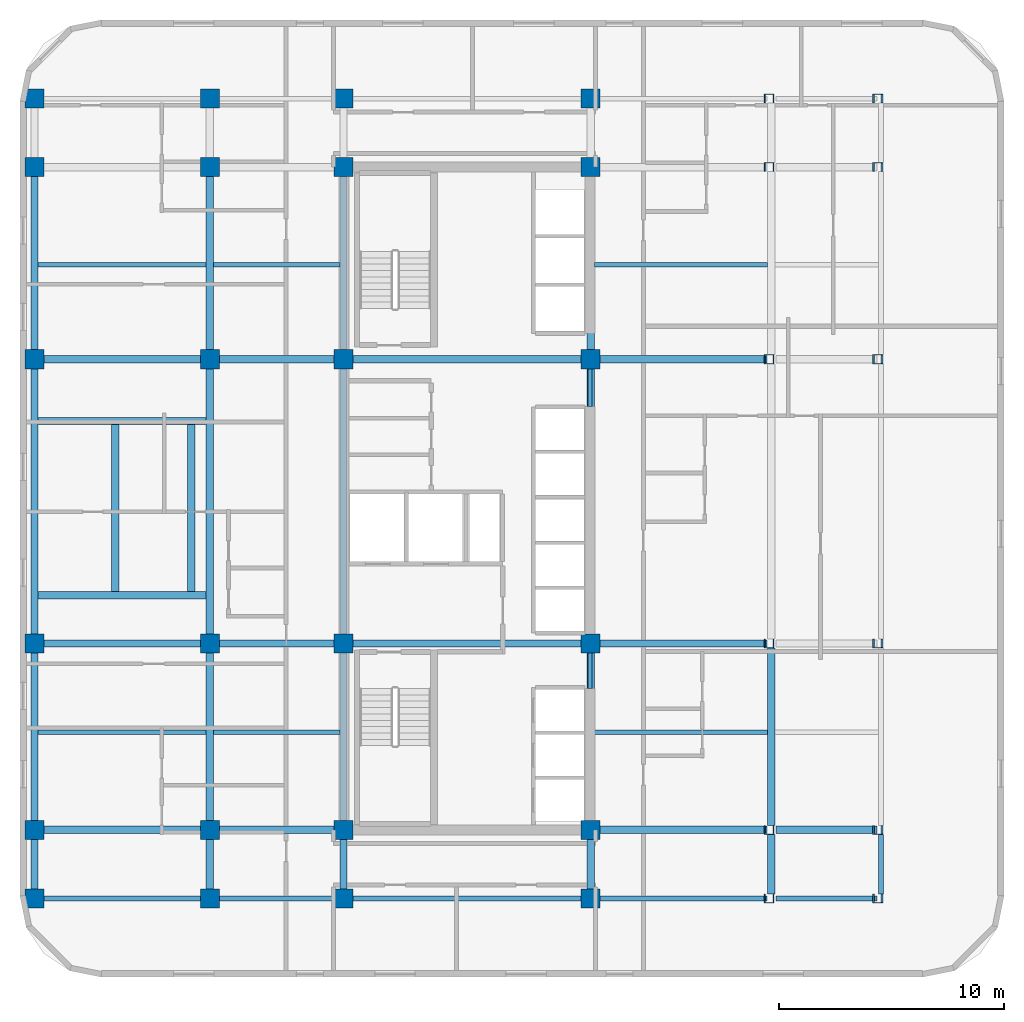
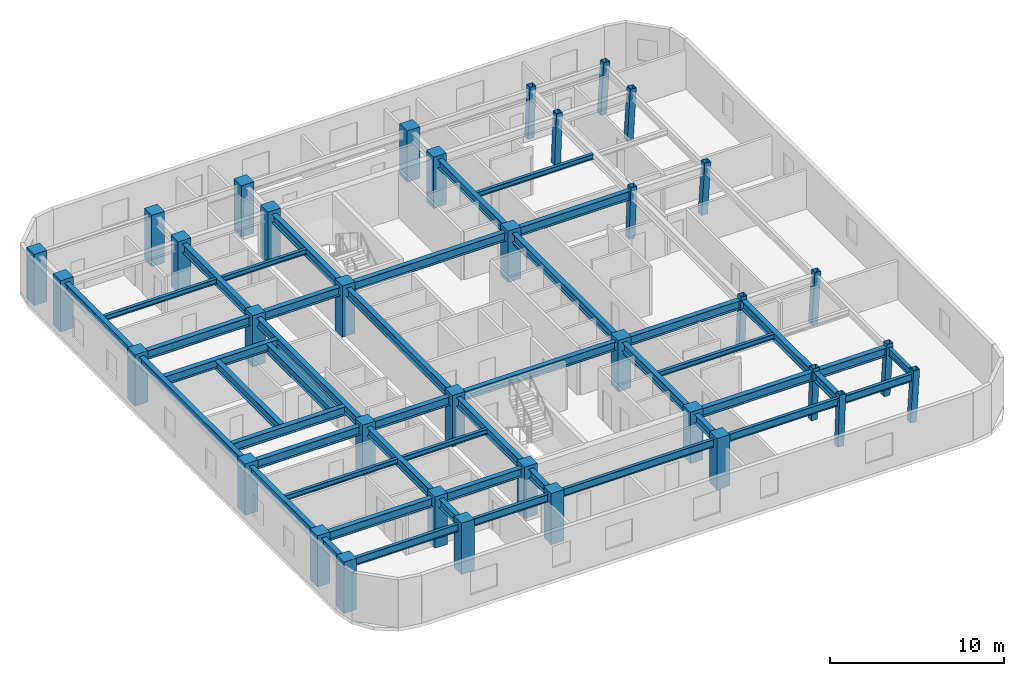
# One storey, part 1 of 8: 48 beams, 36 columns.
"""IFC4 building model written with IfcOpenShell, lengths in metres."""

from ifc_helpers import new_model, si_unit, direction, frame, origin, origin_2d, place, context, subcontext, project, spatial, rectangle, hollow_rectangle, i_section, extrude, material, material_profile, profile_set, type_object, element, save


model = new_model("IFC4")

# Units and contexts
model_context = context("Model", 3, precision=1e-05, world=origin(), true_north=direction((0.0, 1.0)))
body_context = subcontext(model_context, "Body", "Model", "MODEL_VIEW")
ifc_project = project(units=[si_unit("LENGTHUNIT", "METRE"), si_unit("AREAUNIT", "SQUARE_METRE"), si_unit("VOLUMEUNIT", "CUBIC_METRE"), si_unit("PLANEANGLEUNIT", "RADIAN"), si_unit("MASSUNIT", "GRAM", prefix="KILO")], contexts=[model_context])

# Site, building, storey
site_placement = place(None, origin())
site = spatial("IfcSite", under=ifc_project, at=site_placement, CompositionType="ELEMENT")
building_placement = place(site_placement, origin())
building = spatial("IfcBuilding", under=site, at=building_placement, Name="Ochreholt Gables", CompositionType="ELEMENT")
storey_placement = place(building_placement, frame((0.0, 0.0, 91.199951171875)))
storey = spatial("IfcBuildingStorey", under=building, at=storey_placement, Name="L23", CompositionType="ELEMENT", Elevation=91.199951171875)

# Columns
ifc_material_1 = material(Name="Steel CSA G40.21 350W", Category="steel")
ifc_material_profile_1 = material_profile(ifc_material_1, hollow_rectangle(XDim=0.406005859375, YDim=0.406005859375, WallThickness=0.01611328125, at=origin_2d()), Name="HSS406X406X16")
ifc_profile_set_1 = profile_set([ifc_material_profile_1], Name="Steel CSA G40.21 350W")
column_type_1 = type_object("IfcColumnType", Name="COL-HSS406-RAK", PredefinedType="COLUMN", material=ifc_profile_set_1)
for number, where, z_axis, x_axis, name in (
    (1, (43.1279296875, 9.25, 0.0), (0.034971136209, 0.0, 0.999388322742), (0.0, 1.0, 0.0), "L23 Column EMY2"),
    (2, (43.1279296875, 17.550048828125, 0.0), (0.034971136209, 0.0, 0.999388322742), (0.0, 1.0, 0.0), "L23 Column EMY3"),
    (3, (43.1279296875, 30.199951171875, 0.0), (0.034971136209, 0.0, 0.999388322742), (0.0, 1.0, 0.0), "L23 Column EMY4"),
    (4, (43.1279296875, 38.75, 0.0), (0.034971136209, 0.0, 0.999388322742), (0.0, 1.0, 0.0), "L23 Column EMY5"),
):
    element("IfcColumn", number, at=place(storey_placement, frame(where, z_axis=z_axis, x_axis=x_axis)), inside=storey, type_object=column_type_1, Name=name, PredefinedType="COLUMN", context=body_context, shape_type="SweptSolid", body=[
        extrude(hollow_rectangle(XDim=0.406005859375, YDim=0.406005859375, WallThickness=0.01611328125, at=origin_2d()), origin(), (0.0, 0.0, 1.0), 3.602294921875),
    ])
ifc_material_profile_2 = material_profile(ifc_material_1, hollow_rectangle(XDim=0.406005859375, YDim=0.406005859375, WallThickness=0.01611328125, at=origin_2d()), Name="HSS406X406X16")
ifc_profile_set_2 = profile_set([ifc_material_profile_2], Name="Steel CSA G40.21 350W")
column_type_2 = type_object("IfcColumnType", Name="COL-HSS406-RAKE", PredefinedType="COLUMN", material=ifc_profile_set_2)
for number, where, z_axis, x_axis, name in (
    (5, (43.1279296875, 6.199951171875, 0.0), (0.034971136209, 0.0, 0.999388322742), (0.0, 1.0, 0.0), "L23 Column EMY1"),
    (6, (43.1279296875, 41.800048828125, 0.0), (0.034971136209, 0.0, 0.999388322742), (0.0, 1.0, 0.0), "L23 Column EMY6"),
):
    element("IfcColumn", number, at=place(storey_placement, frame(where, z_axis=z_axis, x_axis=x_axis)), inside=storey, type_object=column_type_2, Name=name, PredefinedType="COLUMN", context=body_context, shape_type="SweptSolid", body=[
        extrude(hollow_rectangle(XDim=0.406005859375, YDim=0.406005859375, WallThickness=0.01611328125, at=origin_2d()), origin(), (0.0, 0.0, 1.0), 3.602294921875),
    ])
for number, where, z_axis, x_axis, name in (
    (7, (47.9462890625, 6.199951171875, 0.0), (0.057952080376, 0.0, 0.998319365925), (0.0, 1.0, 0.0), "L23 Column EEY1"),
    (8, (47.9462890625, 9.25, 0.0), (0.057952080376, 0.0, 0.998319365925), (0.0, 1.0, 0.0), "L23 Column EEY2"),
    (9, (47.9462890625, 17.550048828125, 0.0), (0.057952080376, 0.0, 0.998319365925), (0.0, 1.0, 0.0), "L23 Column EEY3"),
    (10, (47.9462890625, 30.199951171875, 0.0), (0.057952080376, 0.0, 0.998319365925), (0.0, 1.0, 0.0), "L23 Column EEY4"),
    (11, (47.9462890625, 38.75, 0.0), (0.057952080376, 0.0, 0.998319365925), (0.0, 1.0, 0.0), "L23 Column EEY5"),
    (12, (47.9462890625, 41.800048828125, 0.0), (0.057952080376, 0.0, 0.998319365925), (0.0, 1.0, 0.0), "L23 Column EEY6"),
):
    element("IfcColumn", number, at=place(storey_placement, frame(where, z_axis=z_axis, x_axis=x_axis)), inside=storey, type_object=column_type_2, Name=name, PredefinedType="COLUMN", context=body_context, shape_type="SweptSolid", body=[
        extrude(hollow_rectangle(XDim=0.406005859375, YDim=0.406005859375, WallThickness=0.01611328125, at=origin_2d()), origin(), (0.0, 0.0, 1.0), 3.606201171875),
    ])
ifc_material_2 = material(Name="Concrete 60 MPa", Category="concrete")
ifc_material_profile_3 = material_profile(ifc_material_2, rectangle(XDim=0.85009765625, YDim=0.85009765625, at=origin_2d()), Name="RC850X850")
ifc_profile_set_3 = profile_set([ifc_material_profile_3], Name="Concrete 60 MPa")
column_type_3 = type_object("IfcColumnType", Name="COL-RC850-EXT", PredefinedType="COLUMN", material=ifc_profile_set_3)
for number, where, z_axis, x_axis, name in (
    (13, (10.449951171875, 6.199951171875, 0.0), (0.0, 0.0, 1.0), (1.0, 0.0, 0.0), "L23 Column W2Y1"),
    (14, (10.449951171875, 9.25, 0.0), (0.0, 0.0, 1.0), (1.0, 0.0, 0.0), "L23 Column W2Y2"),
    (15, (10.449951171875, 17.550048828125, 0.0), (0.0, 0.0, 1.0), (1.0, 0.0, 0.0), "L23 Column W2Y3"),
    (16, (10.449951171875, 30.199951171875, 0.0), (0.0, 0.0, 1.0), (1.0, 0.0, 0.0), "L23 Column W2Y4"),
    (17, (10.449951171875, 38.75, 0.0), (0.0, 0.0, 1.0), (1.0, 0.0, 0.0), "L23 Column W2Y5"),
    (18, (10.449951171875, 41.800048828125, 0.0), (0.0, 0.0, 1.0), (1.0, 0.0, 0.0), "L23 Column W2Y6"),
    (19, (18.25, 6.199951171875, 0.0), (0.0, 0.0, 1.0), (1.0, 0.0, 0.0), "L23 Column W3Y1"),
    (20, (18.25, 41.800048828125, 0.0), (0.0, 0.0, 1.0), (1.0, 0.0, 0.0), "L23 Column W3Y6"),
    (21, (24.199951171875, 6.199951171875, 0.0), (0.0, 0.0, 1.0), (1.0, 0.0, 0.0), "L23 Column C1Y1"),
    (22, (24.199951171875, 41.800048828125, 0.0), (0.0, 0.0, 1.0), (1.0, 0.0, 0.0), "L23 Column C1Y6"),
    (23, (35.199951171875, 6.199951171875, 0.0), (0.0, 0.0, 1.0), (1.0, 0.0, 0.0), "L23 Column C2Y1"),
    (24, (35.199951171875, 41.800048828125, 0.0), (0.0, 0.0, 1.0), (1.0, 0.0, 0.0), "L23 Column C2Y6"),
):
    element("IfcColumn", number, at=place(storey_placement, frame(where, z_axis=z_axis, x_axis=x_axis)), inside=storey, type_object=column_type_3, Name=name, PredefinedType="COLUMN", context=body_context, shape_type="SweptSolid", body=[
        extrude(rectangle(XDim=0.85009765625, YDim=0.85009765625, at=origin_2d()), origin(), (0.0, 0.0, 1.0), 3.60009765625),
    ])
ifc_material_profile_4 = material_profile(ifc_material_2, rectangle(XDim=0.85009765625, YDim=0.85009765625, at=origin_2d()), Name="RC850X850")
ifc_profile_set_4 = profile_set([ifc_material_profile_4], Name="Concrete 60 MPa")
column_type_4 = type_object("IfcColumnType", Name="COL-RC850-INT", PredefinedType="COLUMN", material=ifc_profile_set_4)
for number, where, z_axis, x_axis, name in (
    (25, (18.25, 9.25, 0.0), (0.0, 0.0, 1.0), (1.0, 0.0, 0.0), "L23 Column W3Y2"),
    (26, (18.25, 17.550048828125, 0.0), (0.0, 0.0, 1.0), (1.0, 0.0, 0.0), "L23 Column W3Y3"),
    (27, (18.25, 30.199951171875, 0.0), (0.0, 0.0, 1.0), (1.0, 0.0, 0.0), "L23 Column W3Y4"),
    (28, (18.25, 38.75, 0.0), (0.0, 0.0, 1.0), (1.0, 0.0, 0.0), "L23 Column W3Y5"),
    (29, (24.199951171875, 9.25, 0.0), (0.0, 0.0, 1.0), (1.0, 0.0, 0.0), "L23 Column C1Y2"),
    (30, (24.199951171875, 17.550048828125, 0.0), (0.0, 0.0, 1.0), (1.0, 0.0, 0.0), "L23 Column C1Y3"),
    (31, (24.199951171875, 30.199951171875, 0.0), (0.0, 0.0, 1.0), (1.0, 0.0, 0.0), "L23 Column C1Y4"),
    (32, (24.199951171875, 38.75, 0.0), (0.0, 0.0, 1.0), (1.0, 0.0, 0.0), "L23 Column C1Y5"),
    (33, (35.199951171875, 9.25, 0.0), (0.0, 0.0, 1.0), (1.0, 0.0, 0.0), "L23 Column C2Y2"),
    (34, (35.199951171875, 17.550048828125, 0.0), (0.0, 0.0, 1.0), (1.0, 0.0, 0.0), "L23 Column C2Y3"),
    (35, (35.199951171875, 30.199951171875, 0.0), (0.0, 0.0, 1.0), (1.0, 0.0, 0.0), "L23 Column C2Y4"),
    (36, (35.199951171875, 38.75, 0.0), (0.0, 0.0, 1.0), (1.0, 0.0, 0.0), "L23 Column C2Y5"),
):
    element("IfcColumn", number, at=place(storey_placement, frame(where, z_axis=z_axis, x_axis=x_axis)), inside=storey, type_object=column_type_4, Name=name, PredefinedType="COLUMN", context=body_context, shape_type="SweptSolid", body=[
        extrude(rectangle(XDim=0.85009765625, YDim=0.85009765625, at=origin_2d()), origin(), (0.0, 0.0, 1.0), 3.60009765625),
    ])

# Beams
ifc_material_profile_5 = material_profile(ifc_material_1, i_section(OverallWidth=0.323974609375, OverallDepth=0.611083984375, WebThickness=0.0126953125, FlangeThickness=0.01904296875, at=origin_2d()), Name="W610X155")
ifc_profile_set_5 = profile_set([ifc_material_profile_5], Name="Steel CSA G40.21 350W")
beam_type_1 = type_object("IfcBeamType", Name="BM-G-W610A", PredefinedType="BEAM", material=ifc_profile_set_5)
beam_1_placement = place(storey_placement, frame((10.87451171875, 9.25, 3.054443359375), z_axis=(1.0, 0.0, 0.0), x_axis=(0.0, 1.0, 0.0)))
element("IfcBeam", 37, at=beam_1_placement, inside=storey, type_object=beam_type_1, Name="L23 Beam TBG-L23-W2W3-Y2", PredefinedType="BEAM", context=body_context, shape_type="SweptSolid", body=[
    extrude(i_section(OverallWidth=0.323974609375, OverallDepth=0.611083984375, WebThickness=0.0126953125, FlangeThickness=0.01904296875, at=origin_2d()), origin(), (0.0, 0.0, 1.0), 6.950927734375),
])
beam_2_placement = place(storey_placement, frame((18.674560546875, 9.25, 3.054443359375), z_axis=(1.0, 0.0, 0.0), x_axis=(0.0, 1.0, 0.0)))
element("IfcBeam", 38, at=beam_2_placement, inside=storey, type_object=beam_type_1, Name="L23 Beam TBG-L23-W3C1-Y2", PredefinedType="BEAM", context=body_context, shape_type="SweptSolid", body=[
    extrude(i_section(OverallWidth=0.323974609375, OverallDepth=0.611083984375, WebThickness=0.0126953125, FlangeThickness=0.01904296875, at=origin_2d()), origin(), (0.0, 0.0, 1.0), 5.100830078125),
])
beam_3_placement = place(storey_placement, frame((35.62451171875, 9.25, 3.054443359375), z_axis=(1.0, 0.0, 0.0), x_axis=(0.0, 1.0, 0.0)))
element("IfcBeam", 39, at=beam_3_placement, inside=storey, type_object=beam_type_1, Name="L23 Beam TBG-L23-C2EM-Y2", PredefinedType="BEAM", context=body_context, shape_type="SweptSolid", body=[
    extrude(i_section(OverallWidth=0.323974609375, OverallDepth=0.611083984375, WebThickness=0.0126953125, FlangeThickness=0.01904296875, at=origin_2d()), origin(), (0.0, 0.0, 1.0), 7.427001953125),
])
beam_4_placement = place(storey_placement, frame((43.45654296875, 9.25, 3.054443359375), z_axis=(1.0, 0.0, 0.0), x_axis=(0.0, 1.0, 0.0)))
element("IfcBeam", 40, at=beam_4_placement, inside=storey, type_object=beam_type_1, Name="L23 Beam TBG-L23-EMEE-Y2", PredefinedType="BEAM", context=body_context, shape_type="SweptSolid", body=[
    extrude(i_section(OverallWidth=0.323974609375, OverallDepth=0.611083984375, WebThickness=0.0126953125, FlangeThickness=0.01904296875, at=origin_2d()), origin(), (0.0, 0.0, 1.0), 4.49609375),
])
beam_5_placement = place(storey_placement, frame((10.87451171875, 17.550048828125, 3.054443359375), z_axis=(1.0, 0.0, 0.0), x_axis=(0.0, 1.0, 0.0)))
element("IfcBeam", 41, at=beam_5_placement, inside=storey, type_object=beam_type_1, Name="L23 Beam TBG-L23-W2W3-Y3", PredefinedType="BEAM", context=body_context, shape_type="SweptSolid", body=[
    extrude(i_section(OverallWidth=0.323974609375, OverallDepth=0.611083984375, WebThickness=0.0126953125, FlangeThickness=0.01904296875, at=origin_2d()), origin(), (0.0, 0.0, 1.0), 6.950927734375),
])
beam_6_placement = place(storey_placement, frame((18.674560546875, 17.550048828125, 3.054443359375), z_axis=(1.0, 0.0, 0.0), x_axis=(0.0, 1.0, 0.0)))
element("IfcBeam", 42, at=beam_6_placement, inside=storey, type_object=beam_type_1, Name="L23 Beam TBG-L23-W3C1-Y3", PredefinedType="BEAM", context=body_context, shape_type="SweptSolid", body=[
    extrude(i_section(OverallWidth=0.323974609375, OverallDepth=0.611083984375, WebThickness=0.0126953125, FlangeThickness=0.01904296875, at=origin_2d()), origin(), (0.0, 0.0, 1.0), 5.100830078125),
])
beam_7_placement = place(storey_placement, frame((24.62451171875, 17.550048828125, 3.054443359375), z_axis=(1.0, 0.0, 0.0), x_axis=(0.0, 1.0, 0.0)))
element("IfcBeam", 43, at=beam_7_placement, inside=storey, type_object=beam_type_1, Name="L23 Beam TBG-L23-C1C2-Y3", PredefinedType="BEAM", context=body_context, shape_type="SweptSolid", body=[
    extrude(i_section(OverallWidth=0.323974609375, OverallDepth=0.611083984375, WebThickness=0.0126953125, FlangeThickness=0.01904296875, at=origin_2d()), origin(), (0.0, 0.0, 1.0), 10.15087890625),
])
beam_8_placement = place(storey_placement, frame((35.62451171875, 17.550048828125, 3.054443359375), z_axis=(1.0, 0.0, 0.0), x_axis=(0.0, 1.0, 0.0)))
element("IfcBeam", 44, at=beam_8_placement, inside=storey, type_object=beam_type_1, Name="L23 Beam TBG-L23-C2EM-Y3", PredefinedType="BEAM", context=body_context, shape_type="SweptSolid", body=[
    extrude(i_section(OverallWidth=0.323974609375, OverallDepth=0.611083984375, WebThickness=0.0126953125, FlangeThickness=0.01904296875, at=origin_2d()), origin(), (0.0, 0.0, 1.0), 7.427001953125),
])
beam_9_placement = place(storey_placement, frame((10.87451171875, 30.199951171875, 3.054443359375), z_axis=(1.0, 0.0, 0.0), x_axis=(0.0, 1.0, 0.0)))
element("IfcBeam", 45, at=beam_9_placement, inside=storey, type_object=beam_type_1, Name="L23 Beam TBG-L23-W2W3-Y4", PredefinedType="BEAM", context=body_context, shape_type="SweptSolid", body=[
    extrude(i_section(OverallWidth=0.323974609375, OverallDepth=0.611083984375, WebThickness=0.0126953125, FlangeThickness=0.01904296875, at=origin_2d()), origin(), (0.0, 0.0, 1.0), 6.950927734375),
])
beam_10_placement = place(storey_placement, frame((18.674560546875, 30.199951171875, 3.054443359375), z_axis=(1.0, 0.0, 0.0), x_axis=(0.0, 1.0, 0.0)))
element("IfcBeam", 46, at=beam_10_placement, inside=storey, type_object=beam_type_1, Name="L23 Beam TBG-L23-W3C1-Y4", PredefinedType="BEAM", context=body_context, shape_type="SweptSolid", body=[
    extrude(i_section(OverallWidth=0.323974609375, OverallDepth=0.611083984375, WebThickness=0.0126953125, FlangeThickness=0.01904296875, at=origin_2d()), origin(), (0.0, 0.0, 1.0), 5.100830078125),
])
beam_11_placement = place(storey_placement, frame((24.62451171875, 30.199951171875, 3.054443359375), z_axis=(1.0, 0.0, 0.0), x_axis=(0.0, 1.0, 0.0)))
element("IfcBeam", 47, at=beam_11_placement, inside=storey, type_object=beam_type_1, Name="L23 Beam TBG-L23-C1C2-Y4", PredefinedType="BEAM", context=body_context, shape_type="SweptSolid", body=[
    extrude(i_section(OverallWidth=0.323974609375, OverallDepth=0.611083984375, WebThickness=0.0126953125, FlangeThickness=0.01904296875, at=origin_2d()), origin(), (0.0, 0.0, 1.0), 10.15087890625),
])
beam_12_placement = place(storey_placement, frame((35.62451171875, 30.199951171875, 3.054443359375), z_axis=(1.0, 0.0, 0.0), x_axis=(0.0, 1.0, 0.0)))
element("IfcBeam", 48, at=beam_12_placement, inside=storey, type_object=beam_type_1, Name="L23 Beam TBG-L23-C2EM-Y4", PredefinedType="BEAM", context=body_context, shape_type="SweptSolid", body=[
    extrude(i_section(OverallWidth=0.323974609375, OverallDepth=0.611083984375, WebThickness=0.0126953125, FlangeThickness=0.01904296875, at=origin_2d()), origin(), (0.0, 0.0, 1.0), 7.427001953125),
])
beam_13_placement = place(storey_placement, frame((10.449951171875, 6.62451171875, 3.054443359375), z_axis=(0.0, 1.0, 0.0), x_axis=(-1.0, 0.0, 0.0)))
element("IfcBeam", 49, at=beam_13_placement, inside=storey, type_object=beam_type_1, Name="L23 Beam TBN-L23-W2-Y1Y2", PredefinedType="BEAM", context=body_context, shape_type="SweptSolid", body=[
    extrude(i_section(OverallWidth=0.323974609375, OverallDepth=0.611083984375, WebThickness=0.0126953125, FlangeThickness=0.01904296875, at=origin_2d()), origin(), (0.0, 0.0, 1.0), 2.200927734375),
])
beam_14_placement = place(storey_placement, frame((10.449951171875, 9.674560546875, 3.054443359375), z_axis=(0.0, 1.0, 0.0), x_axis=(-1.0, 0.0, 0.0)))
element("IfcBeam", 50, at=beam_14_placement, inside=storey, type_object=beam_type_1, Name="L23 Beam TBN-L23-W2-Y2Y3", PredefinedType="BEAM", context=body_context, shape_type="SweptSolid", body=[
    extrude(i_section(OverallWidth=0.323974609375, OverallDepth=0.611083984375, WebThickness=0.0126953125, FlangeThickness=0.01904296875, at=origin_2d()), origin(), (0.0, 0.0, 1.0), 7.450927734375),
])
beam_15_placement = place(storey_placement, frame((10.449951171875, 17.974609375, 3.054443359375), z_axis=(0.0, 1.0, 0.0), x_axis=(-1.0, 0.0, 0.0)))
element("IfcBeam", 51, at=beam_15_placement, inside=storey, type_object=beam_type_1, Name="L23 Beam TBN-L23-W2-Y3Y4", PredefinedType="BEAM", context=body_context, shape_type="SweptSolid", body=[
    extrude(i_section(OverallWidth=0.323974609375, OverallDepth=0.611083984375, WebThickness=0.0126953125, FlangeThickness=0.01904296875, at=origin_2d()), origin(), (0.0, 0.0, 1.0), 11.80078125),
])
beam_16_placement = place(storey_placement, frame((10.449951171875, 30.62451171875, 3.054443359375), z_axis=(0.0, 1.0, 0.0), x_axis=(-1.0, 0.0, 0.0)))
element("IfcBeam", 52, at=beam_16_placement, inside=storey, type_object=beam_type_1, Name="L23 Beam TBN-L23-W2-Y4Y5", PredefinedType="BEAM", context=body_context, shape_type="SweptSolid", body=[
    extrude(i_section(OverallWidth=0.323974609375, OverallDepth=0.611083984375, WebThickness=0.0126953125, FlangeThickness=0.01904296875, at=origin_2d()), origin(), (0.0, 0.0, 1.0), 7.700927734375),
])
beam_17_placement = place(storey_placement, frame((18.25, 6.62451171875, 3.054443359375), z_axis=(0.0, 1.0, 0.0), x_axis=(-1.0, 0.0, 0.0)))
element("IfcBeam", 53, at=beam_17_placement, inside=storey, type_object=beam_type_1, Name="L23 Beam TBN-L23-W3-Y1Y2", PredefinedType="BEAM", context=body_context, shape_type="SweptSolid", body=[
    extrude(i_section(OverallWidth=0.323974609375, OverallDepth=0.611083984375, WebThickness=0.0126953125, FlangeThickness=0.01904296875, at=origin_2d()), origin(), (0.0, 0.0, 1.0), 2.200927734375),
])
beam_18_placement = place(storey_placement, frame((18.25, 9.674560546875, 3.054443359375), z_axis=(0.0, 1.0, 0.0), x_axis=(-1.0, 0.0, 0.0)))
element("IfcBeam", 54, at=beam_18_placement, inside=storey, type_object=beam_type_1, Name="L23 Beam TBN-L23-W3-Y2Y3", PredefinedType="BEAM", context=body_context, shape_type="SweptSolid", body=[
    extrude(i_section(OverallWidth=0.323974609375, OverallDepth=0.611083984375, WebThickness=0.0126953125, FlangeThickness=0.01904296875, at=origin_2d()), origin(), (0.0, 0.0, 1.0), 7.450927734375),
])
beam_19_placement = place(storey_placement, frame((18.25, 17.974609375, 3.054443359375), z_axis=(0.0, 1.0, 0.0), x_axis=(-1.0, 0.0, 0.0)))
element("IfcBeam", 55, at=beam_19_placement, inside=storey, type_object=beam_type_1, Name="L23 Beam TBN-L23-W3-Y3Y4", PredefinedType="BEAM", context=body_context, shape_type="SweptSolid", body=[
    extrude(i_section(OverallWidth=0.323974609375, OverallDepth=0.611083984375, WebThickness=0.0126953125, FlangeThickness=0.01904296875, at=origin_2d()), origin(), (0.0, 0.0, 1.0), 11.80078125),
])
beam_20_placement = place(storey_placement, frame((18.25, 30.62451171875, 3.054443359375), z_axis=(0.0, 1.0, 0.0), x_axis=(-1.0, 0.0, 0.0)))
element("IfcBeam", 56, at=beam_20_placement, inside=storey, type_object=beam_type_1, Name="L23 Beam TBN-L23-W3-Y4Y5", PredefinedType="BEAM", context=body_context, shape_type="SweptSolid", body=[
    extrude(i_section(OverallWidth=0.323974609375, OverallDepth=0.611083984375, WebThickness=0.0126953125, FlangeThickness=0.01904296875, at=origin_2d()), origin(), (0.0, 0.0, 1.0), 7.700927734375),
])
beam_21_placement = place(storey_placement, frame((24.199951171875, 6.62451171875, 3.054443359375), z_axis=(0.0, 1.0, 0.0), x_axis=(-1.0, 0.0, 0.0)))
element("IfcBeam", 57, at=beam_21_placement, inside=storey, type_object=beam_type_1, Name="L23 Beam TBN-L23-C1-Y1Y2", PredefinedType="BEAM", context=body_context, shape_type="SweptSolid", body=[
    extrude(i_section(OverallWidth=0.323974609375, OverallDepth=0.611083984375, WebThickness=0.0126953125, FlangeThickness=0.01904296875, at=origin_2d()), origin(), (0.0, 0.0, 1.0), 2.200927734375),
])
beam_22_placement = place(storey_placement, frame((24.199951171875, 9.674560546875, 3.054443359375), z_axis=(0.0, 1.0, 0.0), x_axis=(-1.0, 0.0, 0.0)))
element("IfcBeam", 58, at=beam_22_placement, inside=storey, type_object=beam_type_1, Name="L23 Beam TBN-L23-C1-Y2Y3", PredefinedType="BEAM", context=body_context, shape_type="SweptSolid", body=[
    extrude(i_section(OverallWidth=0.323974609375, OverallDepth=0.611083984375, WebThickness=0.0126953125, FlangeThickness=0.01904296875, at=origin_2d()), origin(), (0.0, 0.0, 1.0), 7.450927734375),
])
beam_23_placement = place(storey_placement, frame((24.199951171875, 17.974609375, 3.054443359375), z_axis=(0.0, 1.0, 0.0), x_axis=(-1.0, 0.0, 0.0)))
element("IfcBeam", 59, at=beam_23_placement, inside=storey, type_object=beam_type_1, Name="L23 Beam TBN-L23-C1-Y3Y4", PredefinedType="BEAM", context=body_context, shape_type="SweptSolid", body=[
    extrude(i_section(OverallWidth=0.323974609375, OverallDepth=0.611083984375, WebThickness=0.0126953125, FlangeThickness=0.01904296875, at=origin_2d()), origin(), (0.0, 0.0, 1.0), 11.80078125),
])
beam_24_placement = place(storey_placement, frame((24.199951171875, 30.62451171875, 3.054443359375), z_axis=(0.0, 1.0, 0.0), x_axis=(-1.0, 0.0, 0.0)))
element("IfcBeam", 60, at=beam_24_placement, inside=storey, type_object=beam_type_1, Name="L23 Beam TBN-L23-C1-Y4Y5", PredefinedType="BEAM", context=body_context, shape_type="SweptSolid", body=[
    extrude(i_section(OverallWidth=0.323974609375, OverallDepth=0.611083984375, WebThickness=0.0126953125, FlangeThickness=0.01904296875, at=origin_2d()), origin(), (0.0, 0.0, 1.0), 7.700927734375),
])
beam_25_placement = place(storey_placement, frame((35.199951171875, 6.62451171875, 3.054443359375), z_axis=(0.0, 1.0, 0.0), x_axis=(-1.0, 0.0, 0.0)))
element("IfcBeam", 61, at=beam_25_placement, inside=storey, type_object=beam_type_1, Name="L23 Beam TBN-L23-C2-Y1Y2", PredefinedType="BEAM", context=body_context, shape_type="SweptSolid", body=[
    extrude(i_section(OverallWidth=0.323974609375, OverallDepth=0.611083984375, WebThickness=0.0126953125, FlangeThickness=0.01904296875, at=origin_2d()), origin(), (0.0, 0.0, 1.0), 2.200927734375),
])
beam_26_placement = place(storey_placement, frame((35.199951171875, 9.674560546875, 3.054443359375), z_axis=(0.0, 1.0, 0.0), x_axis=(-1.0, 0.0, 0.0)))
element("IfcBeam", 62, at=beam_26_placement, inside=storey, type_object=beam_type_1, Name="L23 Beam TBN-L23-C2-Y2Y3", PredefinedType="BEAM", context=body_context, shape_type="SweptSolid", body=[
    extrude(i_section(OverallWidth=0.323974609375, OverallDepth=0.611083984375, WebThickness=0.0126953125, FlangeThickness=0.01904296875, at=origin_2d()), origin(), (0.0, 0.0, 1.0), 7.450927734375),
])
beam_27_placement = place(storey_placement, frame((35.199951171875, 17.974609375, 3.054443359375), z_axis=(0.0, 1.0, 0.0), x_axis=(-1.0, 0.0, 0.0)))
element("IfcBeam", 63, at=beam_27_placement, inside=storey, type_object=beam_type_1, Name="L23 Beam TBN-L23-C2-Y3Y4", PredefinedType="BEAM", context=body_context, shape_type="SweptSolid", body=[
    extrude(i_section(OverallWidth=0.323974609375, OverallDepth=0.611083984375, WebThickness=0.0126953125, FlangeThickness=0.01904296875, at=origin_2d()), origin(), (0.0, 0.0, 1.0), 11.80078125),
])
beam_28_placement = place(storey_placement, frame((35.199951171875, 30.62451171875, 3.054443359375), z_axis=(0.0, 1.0, 0.0), x_axis=(-1.0, 0.0, 0.0)))
element("IfcBeam", 64, at=beam_28_placement, inside=storey, type_object=beam_type_1, Name="L23 Beam TBN-L23-C2-Y4Y5", PredefinedType="BEAM", context=body_context, shape_type="SweptSolid", body=[
    extrude(i_section(OverallWidth=0.323974609375, OverallDepth=0.611083984375, WebThickness=0.0126953125, FlangeThickness=0.01904296875, at=origin_2d()), origin(), (0.0, 0.0, 1.0), 7.700927734375),
])
beam_29_placement = place(storey_placement, frame((43.23681640625, 6.402587890625, 3.054443359375), z_axis=(0.0, 1.0, 0.0), x_axis=(-1.0, 0.0, 0.0)))
element("IfcBeam", 65, at=beam_29_placement, inside=storey, type_object=beam_type_1, Name="L23 Beam TBN-L23-EM-Y1Y2", PredefinedType="BEAM", context=body_context, shape_type="SweptSolid", body=[
    extrude(i_section(OverallWidth=0.323974609375, OverallDepth=0.611083984375, WebThickness=0.0126953125, FlangeThickness=0.01904296875, at=origin_2d()), origin(), (0.0, 0.0, 1.0), 2.644775390625),
])
beam_30_placement = place(storey_placement, frame((43.23681640625, 9.45263671875, 3.054443359375), z_axis=(0.0, 1.0, 0.0), x_axis=(-1.0, 0.0, 0.0)))
element("IfcBeam", 66, at=beam_30_placement, inside=storey, type_object=beam_type_1, Name="L23 Beam TBN-L23-EM-Y2Y3", PredefinedType="BEAM", context=body_context, shape_type="SweptSolid", body=[
    extrude(i_section(OverallWidth=0.323974609375, OverallDepth=0.611083984375, WebThickness=0.0126953125, FlangeThickness=0.01904296875, at=origin_2d()), origin(), (0.0, 0.0, 1.0), 7.894775390625),
])
for number, where, z_axis, x_axis, name in (
    (67, (10.611572265625, 19.68994140625, 3.054443359375), (1.0, 0.0, 0.0), (0.0, 1.0, 0.0), "L23 Beam TBH-L23-ST-C2-FSTLS"),
    (68, (10.611572265625, 27.449951171875, 3.054443359375), (1.0, 0.0, 0.0), (0.0, 1.0, 0.0), "L23 Beam TBH-L23-ST-C2-FSTLN"),
):
    element("IfcBeam", number, at=place(storey_placement, frame(where, z_axis=z_axis, x_axis=x_axis)), inside=storey, type_object=beam_type_1, Name=name, PredefinedType="BEAM", context=body_context, shape_type="SweptSolid", body=[
        extrude(i_section(OverallWidth=0.323974609375, OverallDepth=0.611083984375, WebThickness=0.0126953125, FlangeThickness=0.01904296875, at=origin_2d()), origin(), (0.0, 0.0, 1.0), 7.476806640625),
    ])
for number, where, z_axis, x_axis, name in (
    (69, (14.0400390625, 19.8515625, 3.054443359375), (0.0, 1.0, 0.0), (-1.0, 0.0, 0.0), "L23 Beam TBT-L23-ST-C2-FSTLW"),
    (70, (17.419921875, 19.8515625, 3.054443359375), (0.0, 1.0, 0.0), (-1.0, 0.0, 0.0), "L23 Beam TBT-L23-ST-C2-FSTLE"),
):
    element("IfcBeam", number, at=place(storey_placement, frame(where, z_axis=z_axis, x_axis=x_axis)), inside=storey, type_object=beam_type_1, Name=name, PredefinedType="BEAM", context=body_context, shape_type="SweptSolid", body=[
        extrude(i_section(OverallWidth=0.323974609375, OverallDepth=0.611083984375, WebThickness=0.0126953125, FlangeThickness=0.01904296875, at=origin_2d()), origin(), (0.0, 0.0, 1.0), 7.436767578125),
    ])
ifc_material_profile_6 = material_profile(ifc_material_1, i_section(OverallWidth=0.205078125, OverallDepth=0.35400390625, WebThickness=0.009521484375, FlangeThickness=0.016845703125, at=origin_2d()), Name="W360X79")
ifc_profile_set_6 = profile_set([ifc_material_profile_6], Name="Steel CSA G40.21 350W")
beam_type_2 = type_object("IfcBeamType", Name="BM-J-W360A", PredefinedType="JOIST", material=ifc_profile_set_6)
beam_31_placement = place(storey_placement, frame((10.611572265625, 13.60009765625, 3.18310546875), z_axis=(1.0, 0.0, 0.0), x_axis=(0.0, 1.0, 0.0)))
element("IfcBeam", 71, at=beam_31_placement, inside=storey, type_object=beam_type_2, Name="L23 Beam TBJ-L23-J1-W2W3", PredefinedType="JOIST", context=body_context, shape_type="SweptSolid", body=[
    extrude(i_section(OverallWidth=0.205078125, OverallDepth=0.35400390625, WebThickness=0.009521484375, FlangeThickness=0.016845703125, at=origin_2d()), origin(), (0.0, 0.0, 1.0), 7.476806640625),
])
beam_32_placement = place(storey_placement, frame((18.41162109375, 13.60009765625, 3.18310546875), z_axis=(1.0, 0.0, 0.0), x_axis=(0.0, 1.0, 0.0)))
element("IfcBeam", 72, at=beam_32_placement, inside=storey, type_object=beam_type_2, Name="L23 Beam TBJ-L23-J1-W3C1", PredefinedType="JOIST", context=body_context, shape_type="SweptSolid", body=[
    extrude(i_section(OverallWidth=0.205078125, OverallDepth=0.35400390625, WebThickness=0.009521484375, FlangeThickness=0.016845703125, at=origin_2d()), origin(), (0.0, 0.0, 1.0), 5.626708984375),
])
beam_33_placement = place(storey_placement, frame((35.361572265625, 13.60009765625, 3.18310546875), z_axis=(1.0, 0.0, 0.0), x_axis=(0.0, 1.0, 0.0)))
element("IfcBeam", 73, at=beam_33_placement, inside=storey, type_object=beam_type_2, Name="L23 Beam TBJ-L23-J1-C2EM", PredefinedType="JOIST", context=body_context, shape_type="SweptSolid", body=[
    extrude(i_section(OverallWidth=0.205078125, OverallDepth=0.35400390625, WebThickness=0.009521484375, FlangeThickness=0.016845703125, at=origin_2d()), origin(), (0.0, 0.0, 1.0), 7.713623046875),
])
beam_34_placement = place(storey_placement, frame((10.611572265625, 34.39990234375, 3.18310546875), z_axis=(1.0, 0.0, 0.0), x_axis=(0.0, 1.0, 0.0)))
element("IfcBeam", 74, at=beam_34_placement, inside=storey, type_object=beam_type_2, Name="L23 Beam TBJ-L23-J2-W2W3", PredefinedType="JOIST", context=body_context, shape_type="SweptSolid", body=[
    extrude(i_section(OverallWidth=0.205078125, OverallDepth=0.35400390625, WebThickness=0.009521484375, FlangeThickness=0.016845703125, at=origin_2d()), origin(), (0.0, 0.0, 1.0), 7.476806640625),
])
beam_35_placement = place(storey_placement, frame((18.41162109375, 34.39990234375, 3.18310546875), z_axis=(1.0, 0.0, 0.0), x_axis=(0.0, 1.0, 0.0)))
element("IfcBeam", 75, at=beam_35_placement, inside=storey, type_object=beam_type_2, Name="L23 Beam TBJ-L23-J2-W3C1", PredefinedType="JOIST", context=body_context, shape_type="SweptSolid", body=[
    extrude(i_section(OverallWidth=0.205078125, OverallDepth=0.35400390625, WebThickness=0.009521484375, FlangeThickness=0.016845703125, at=origin_2d()), origin(), (0.0, 0.0, 1.0), 5.626708984375),
])
beam_36_placement = place(storey_placement, frame((35.361572265625, 34.39990234375, 3.18310546875), z_axis=(1.0, 0.0, 0.0), x_axis=(0.0, 1.0, 0.0)))
element("IfcBeam", 76, at=beam_36_placement, inside=storey, type_object=beam_type_2, Name="L23 Beam TBJ-L23-J2-C2EM", PredefinedType="JOIST", context=body_context, shape_type="SweptSolid", body=[
    extrude(i_section(OverallWidth=0.205078125, OverallDepth=0.35400390625, WebThickness=0.009521484375, FlangeThickness=0.016845703125, at=origin_2d()), origin(), (0.0, 0.0, 1.0), 7.713623046875),
])
ifc_material_profile_7 = material_profile(ifc_material_1, i_section(OverallWidth=0.1650390625, OverallDepth=0.200927734375, WebThickness=0.006103515625, FlangeThickness=0.01025390625, at=origin_2d()), Name="W200X36")
ifc_profile_set_7 = profile_set([ifc_material_profile_7], Name="Steel CSA G40.21 350W")
beam_type_3 = type_object("IfcBeamType", Name="BM-LIN-W200", PredefinedType="LINTEL", material=ifc_profile_set_7)
beam_37_placement = place(storey_placement, frame((35.175048828125, 15.550048828125, 2.6484375), z_axis=(0.0, 1.0, 0.0), x_axis=(-1.0, 0.0, 0.0)))
element("IfcBeam", 77, at=beam_37_placement, inside=storey, type_object=beam_type_3, Name="L23 Core Coupling Lintel CPS", PredefinedType="LINTEL", context=body_context, shape_type="SweptSolid", body=[
    extrude(i_section(OverallWidth=0.1650390625, OverallDepth=0.200927734375, WebThickness=0.006103515625, FlangeThickness=0.01025390625, at=origin_2d()), origin(), (0.0, 0.0, 1.0), 1.574951171875),
])
beam_38_placement = place(storey_placement, frame((35.175048828125, 28.10009765625, 2.6484375), z_axis=(0.0, 1.0, 0.0), x_axis=(-1.0, 0.0, 0.0)))
element("IfcBeam", 78, at=beam_38_placement, inside=storey, type_object=beam_type_3, Name="L23 Core Coupling Lintel CPN", PredefinedType="LINTEL", context=body_context, shape_type="SweptSolid", body=[
    extrude(i_section(OverallWidth=0.1650390625, OverallDepth=0.200927734375, WebThickness=0.006103515625, FlangeThickness=0.01025390625, at=origin_2d()), origin(), (0.0, 0.0, 1.0), 1.6748046875),
])
ifc_material_profile_8 = material_profile(ifc_material_1, i_section(OverallWidth=0.208984375, OverallDepth=0.532958984375, WebThickness=0.01025390625, FlangeThickness=0.015625, at=origin_2d()), Name="W530X92")
ifc_profile_set_8 = profile_set([ifc_material_profile_8], Name="Steel CSA G40.21 350W")
beam_type_4 = type_object("IfcBeamType", Name="BM-SP-W530B", PredefinedType="SPANDREL", material=ifc_profile_set_8)
beam_39_placement = place(storey_placement, frame((10.87451171875, 6.199951171875, 3.093505859375), z_axis=(1.0, 0.0, 0.0), x_axis=(0.0, 1.0, 0.0)))
element("IfcBeam", 79, at=beam_39_placement, inside=storey, type_object=beam_type_4, Name="L23 Beam TBG-L23-W2W3-Y1", PredefinedType="SPANDREL", context=body_context, shape_type="SweptSolid", body=[
    extrude(i_section(OverallWidth=0.208984375, OverallDepth=0.532958984375, WebThickness=0.01025390625, FlangeThickness=0.015625, at=origin_2d()), origin(), (0.0, 0.0, 1.0), 6.950927734375),
])
beam_40_placement = place(storey_placement, frame((18.674560546875, 6.199951171875, 3.093505859375), z_axis=(1.0, 0.0, 0.0), x_axis=(0.0, 1.0, 0.0)))
element("IfcBeam", 80, at=beam_40_placement, inside=storey, type_object=beam_type_4, Name="L23 Beam TBG-L23-W3C1-Y1", PredefinedType="SPANDREL", context=body_context, shape_type="SweptSolid", body=[
    extrude(i_section(OverallWidth=0.208984375, OverallDepth=0.532958984375, WebThickness=0.01025390625, FlangeThickness=0.015625, at=origin_2d()), origin(), (0.0, 0.0, 1.0), 5.100830078125),
])
beam_41_placement = place(storey_placement, frame((24.62451171875, 6.199951171875, 3.093505859375), z_axis=(1.0, 0.0, 0.0), x_axis=(0.0, 1.0, 0.0)))
element("IfcBeam", 81, at=beam_41_placement, inside=storey, type_object=beam_type_4, Name="L23 Beam TBG-L23-C1C2-Y1", PredefinedType="SPANDREL", context=body_context, shape_type="SweptSolid", body=[
    extrude(i_section(OverallWidth=0.208984375, OverallDepth=0.532958984375, WebThickness=0.01025390625, FlangeThickness=0.015625, at=origin_2d()), origin(), (0.0, 0.0, 1.0), 10.15087890625),
])
beam_42_placement = place(storey_placement, frame((35.62451171875, 6.199951171875, 3.093505859375), z_axis=(1.0, 0.0, 0.0), x_axis=(0.0, 1.0, 0.0)))
element("IfcBeam", 82, at=beam_42_placement, inside=storey, type_object=beam_type_4, Name="L23 Beam TBG-L23-C2EM-Y1", PredefinedType="SPANDREL", context=body_context, shape_type="SweptSolid", body=[
    extrude(i_section(OverallWidth=0.208984375, OverallDepth=0.532958984375, WebThickness=0.01025390625, FlangeThickness=0.015625, at=origin_2d()), origin(), (0.0, 0.0, 1.0), 7.427001953125),
])
beam_43_placement = place(storey_placement, frame((43.45654296875, 6.199951171875, 3.093505859375), z_axis=(1.0, 0.0, 0.0), x_axis=(0.0, 1.0, 0.0)))
element("IfcBeam", 83, at=beam_43_placement, inside=storey, type_object=beam_type_4, Name="L23 Beam TBG-L23-EMEE-Y1", PredefinedType="SPANDREL", context=body_context, shape_type="SweptSolid", body=[
    extrude(i_section(OverallWidth=0.208984375, OverallDepth=0.532958984375, WebThickness=0.01025390625, FlangeThickness=0.015625, at=origin_2d()), origin(), (0.0, 0.0, 1.0), 4.49609375),
])
beam_44_placement = place(storey_placement, frame((48.126708984375, 6.402587890625, 3.093505859375), z_axis=(0.0, 1.0, 0.0), x_axis=(-1.0, 0.0, 0.0)))
element("IfcBeam", 84, at=beam_44_placement, inside=storey, type_object=beam_type_4, Name="L23 Beam TBN-L23-EE-Y1Y2", PredefinedType="SPANDREL", context=body_context, shape_type="SweptSolid", body=[
    extrude(i_section(OverallWidth=0.208984375, OverallDepth=0.532958984375, WebThickness=0.01025390625, FlangeThickness=0.015625, at=origin_2d()), origin(), (0.0, 0.0, 1.0), 2.644775390625),
])

save(model, "model.ifc")
